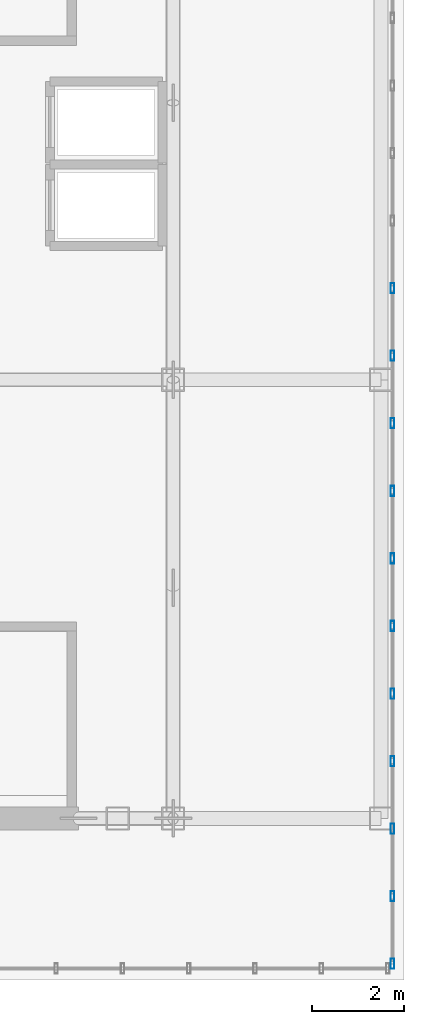
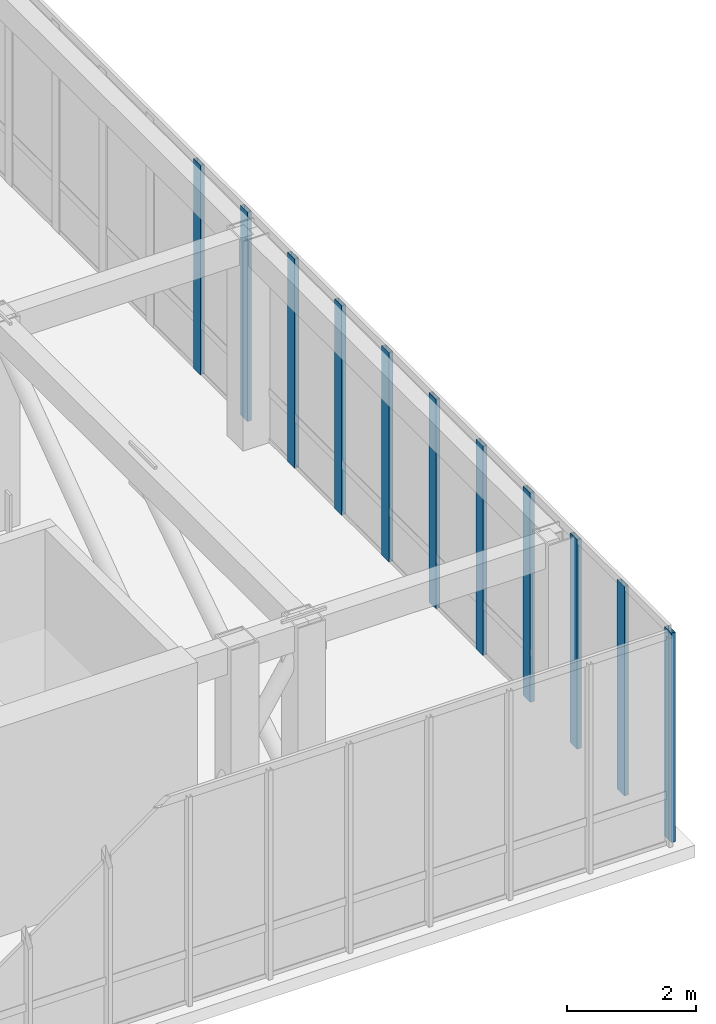
# One storey, part 5 of 13: 11 members, 1 element without a shape of its own.
"""IFC4 building model written with IfcOpenShell, lengths in metres."""

from ifc_helpers import new_model, si_unit, direction, frame, origin, origin_2d, place, context, subcontext, project, spatial, hollow_rectangle, extrude, source, transform, mapped, material, layer, layer_set, material_profile, profile_set, type_object, element, aggregate, save


model = new_model("IFC4")

# Units and contexts
model_context = context("Model", 3, precision=1e-05, world=origin(), true_north=direction((0.0, 1.0)))
body_context = subcontext(model_context, "Body", "Model", "MODEL_VIEW")
ifc_project = project(units=[si_unit("LENGTHUNIT", "METRE"), si_unit("AREAUNIT", "SQUARE_METRE"), si_unit("VOLUMEUNIT", "CUBIC_METRE"), si_unit("PLANEANGLEUNIT", "RADIAN"), si_unit("MASSUNIT", "GRAM", prefix="KILO")], contexts=[model_context])

# Site, building, storey
site_placement = place(None, origin())
site = spatial("IfcSite", under=ifc_project, at=site_placement, CompositionType="ELEMENT")
building_placement = place(site_placement, origin())
building = spatial("IfcBuilding", under=site, at=building_placement, Name="Kharzan Plaza Tower", CompositionType="ELEMENT")
storey_placement = place(building_placement, frame((0.0, 0.0, 289.800048828125)))
storey = spatial("IfcBuildingStorey", under=building, at=storey_placement, Name="L78-CROWN", CompositionType="ELEMENT", Elevation=289.800048828125)

# Curtain wall, members
ifc_material_1 = material(Name="Unitised Bronze-Anodized Aluminium and Low-E Glass", Category="aluminium")
ifc_layer = layer(ifc_material_1, 0.199951171875)
ifc_layer_set = layer_set([ifc_layer], Name="Unitised Bronze-Anodized Aluminium and Low-E Glass")
curtain_wall_type = type_object("IfcCurtainWallType", Name="CW-LANTERN-6", PredefinedType="NOTDEFINED", material=ifc_layer_set)
curtain_wall_placement = place(storey_placement, origin())
curtain_wall = element("IfcCurtainWall", 1, at=curtain_wall_placement, inside=storey, type_object=curtain_wall_type, Name="L78-CROWN Lantern Crown Illuminated Curtain Wall 2", PredefinedType="NOTDEFINED")
ifc_material_2 = material(Name="Anodized Bronze Aluminium", Category="aluminium")
ifc_material_profile = material_profile(ifc_material_2, hollow_rectangle(XDim=0.074951171875, YDim=0.219970703125, WallThickness=0.00390625, at=origin_2d()), Name="ALU-M220x75x4")
ifc_profile_set = profile_set([ifc_material_profile], Name="Anodized Bronze Aluminium")
member_type = type_object("IfcMemberType", Name="MEM-CW-MUL200", PredefinedType="MULLION", material=ifc_profile_set)
shared_shape = source(origin(), body_context, "Body", "SweptSolid", [
    extrude(hollow_rectangle(XDim=0.074951171875, YDim=0.219970703125, WallThickness=0.00390625, at=origin_2d()), origin(), (0.0, 0.0, 1.0), 3.969970703125),
])
member_1_placement = place(storey_placement, frame((19.25, 5.35009765625, 0.0), z_axis=(0.0, 0.0, 1.0), x_axis=(1.0, 0.0, 0.0)))
member_1 = element("IfcMember", 2, at=member_1_placement, type_object=member_type, Name="L78-CROWN Curtain-Wall Mullion 00", PredefinedType="MULLION", context=body_context, shape_type="MappedRepresentation", body=[
    mapped(shared_shape, transform((0.0, 0.0, 0.0), x_axis=(1.0, 0.0, 0.0), y_axis=(0.0, 1.0, 0.0), z_axis=(0.0, 0.0, 1.0))),
])
member_2_placement = place(storey_placement, frame((19.25, 6.813232421875, 0.0), z_axis=(0.0, 0.0, 1.0), x_axis=(1.0, 0.0, 0.0)))
member_2 = element("IfcMember", 3, at=member_2_placement, type_object=member_type, Name="L78-CROWN Curtain-Wall Mullion 01", PredefinedType="MULLION", context=body_context, shape_type="MappedRepresentation", body=[
    mapped(shared_shape, transform((0.0, 0.0, 0.0), x_axis=(1.0, 0.0, 0.0), y_axis=(0.0, 1.0, 0.0), z_axis=(0.0, 0.0, 1.0))),
])
member_3_placement = place(storey_placement, frame((19.25, 8.2763671875, 0.0), z_axis=(0.0, 0.0, 1.0), x_axis=(1.0, 0.0, 0.0)))
member_3 = element("IfcMember", 4, at=member_3_placement, type_object=member_type, Name="L78-CROWN Curtain-Wall Mullion 02", PredefinedType="MULLION", context=body_context, shape_type="MappedRepresentation", body=[
    mapped(shared_shape, transform((0.0, 0.0, 0.0), x_axis=(1.0, 0.0, 0.0), y_axis=(0.0, 1.0, 0.0), z_axis=(0.0, 0.0, 1.0))),
])
member_4_placement = place(storey_placement, frame((19.25, 9.739501953125, 0.0), z_axis=(0.0, 0.0, 1.0), x_axis=(1.0, 0.0, 0.0)))
member_4 = element("IfcMember", 5, at=member_4_placement, type_object=member_type, Name="L78-CROWN Curtain-Wall Mullion 03", PredefinedType="MULLION", context=body_context, shape_type="MappedRepresentation", body=[
    mapped(shared_shape, transform((0.0, 0.0, 0.0), x_axis=(1.0, 0.0, 0.0), y_axis=(0.0, 1.0, 0.0), z_axis=(0.0, 0.0, 1.0))),
])
member_5_placement = place(storey_placement, frame((19.25, 11.20263671875, 0.0), z_axis=(0.0, 0.0, 1.0), x_axis=(1.0, 0.0, 0.0)))
member_5 = element("IfcMember", 6, at=member_5_placement, type_object=member_type, Name="L78-CROWN Curtain-Wall Mullion 04", PredefinedType="MULLION", context=body_context, shape_type="MappedRepresentation", body=[
    mapped(shared_shape, transform((0.0, 0.0, 0.0), x_axis=(1.0, 0.0, 0.0), y_axis=(0.0, 1.0, 0.0), z_axis=(0.0, 0.0, 1.0))),
])
member_6_placement = place(storey_placement, frame((19.25, 12.665771484375, 0.0), z_axis=(0.0, 0.0, 1.0), x_axis=(1.0, 0.0, 0.0)))
member_6 = element("IfcMember", 7, at=member_6_placement, type_object=member_type, Name="L78-CROWN Curtain-Wall Mullion 05", PredefinedType="MULLION", context=body_context, shape_type="MappedRepresentation", body=[
    mapped(shared_shape, transform((0.0, 0.0, 0.0), x_axis=(1.0, 0.0, 0.0), y_axis=(0.0, 1.0, 0.0), z_axis=(0.0, 0.0, 1.0))),
])
member_7_placement = place(storey_placement, frame((19.25, 14.12890625, 0.0), z_axis=(0.0, 0.0, 1.0), x_axis=(1.0, 0.0, 0.0)))
member_7 = element("IfcMember", 8, at=member_7_placement, type_object=member_type, Name="L78-CROWN Curtain-Wall Mullion 06", PredefinedType="MULLION", context=body_context, shape_type="MappedRepresentation", body=[
    mapped(shared_shape, transform((0.0, 0.0, 0.0), x_axis=(1.0, 0.0, 0.0), y_axis=(0.0, 1.0, 0.0), z_axis=(0.0, 0.0, 1.0))),
])
member_8_placement = place(storey_placement, frame((19.25, 15.592041015625, 0.0), z_axis=(0.0, 0.0, 1.0), x_axis=(1.0, 0.0, 0.0)))
member_8 = element("IfcMember", 9, at=member_8_placement, type_object=member_type, Name="L78-CROWN Curtain-Wall Mullion 07", PredefinedType="MULLION", context=body_context, shape_type="MappedRepresentation", body=[
    mapped(shared_shape, transform((0.0, 0.0, 0.0), x_axis=(1.0, 0.0, 0.0), y_axis=(0.0, 1.0, 0.0), z_axis=(0.0, 0.0, 1.0))),
])
member_9_placement = place(storey_placement, frame((19.25, 17.055419921875, 0.0), z_axis=(0.0, 0.0, 1.0), x_axis=(1.0, 0.0, 0.0)))
member_9 = element("IfcMember", 10, at=member_9_placement, type_object=member_type, Name="L78-CROWN Curtain-Wall Mullion 08", PredefinedType="MULLION", context=body_context, shape_type="MappedRepresentation", body=[
    mapped(shared_shape, transform((0.0, 0.0, 0.0), x_axis=(1.0, 0.0, 0.0), y_axis=(0.0, 1.0, 0.0), z_axis=(0.0, 0.0, 1.0))),
])
member_10_placement = place(storey_placement, frame((19.25, 18.518310546875, 0.0), z_axis=(0.0, 0.0, 1.0), x_axis=(1.0, 0.0, 0.0)))
member_10 = element("IfcMember", 11, at=member_10_placement, type_object=member_type, Name="L78-CROWN Curtain-Wall Mullion 09", PredefinedType="MULLION", context=body_context, shape_type="MappedRepresentation", body=[
    mapped(shared_shape, transform((0.0, 0.0, 0.0), x_axis=(1.0, 0.0, 0.0), y_axis=(0.0, 1.0, 0.0), z_axis=(0.0, 0.0, 1.0))),
])
member_11_placement = place(storey_placement, frame((19.25, 19.981689453125, 0.0), z_axis=(0.0, 0.0, 1.0), x_axis=(1.0, 0.0, 0.0)))
member_11 = element("IfcMember", 12, at=member_11_placement, type_object=member_type, Name="L78-CROWN Curtain-Wall Mullion 10", PredefinedType="MULLION", context=body_context, shape_type="MappedRepresentation", body=[
    mapped(shared_shape, transform((0.0, 0.0, 0.0), x_axis=(1.0, 0.0, 0.0), y_axis=(0.0, 1.0, 0.0), z_axis=(0.0, 0.0, 1.0))),
])
aggregate(curtain_wall, [member_1, member_2, member_3, member_4, member_5, member_6, member_7, member_8, member_9, member_10, member_11])

save(model, "model.ifc")
